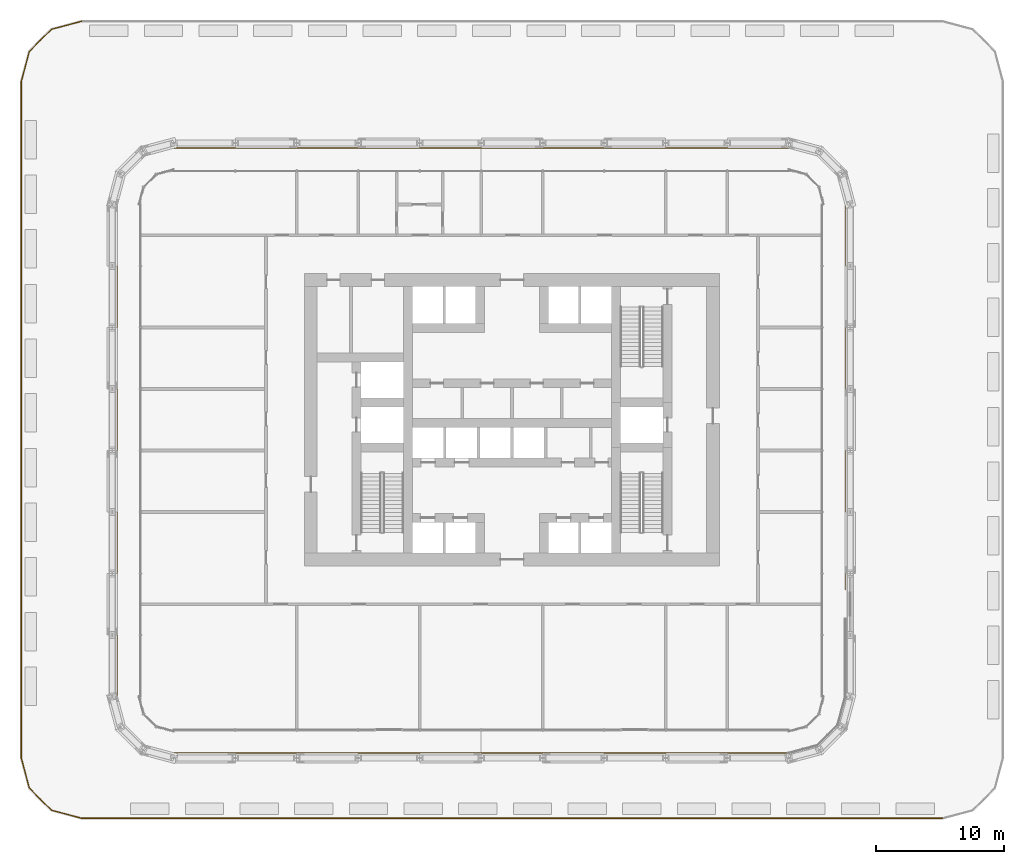
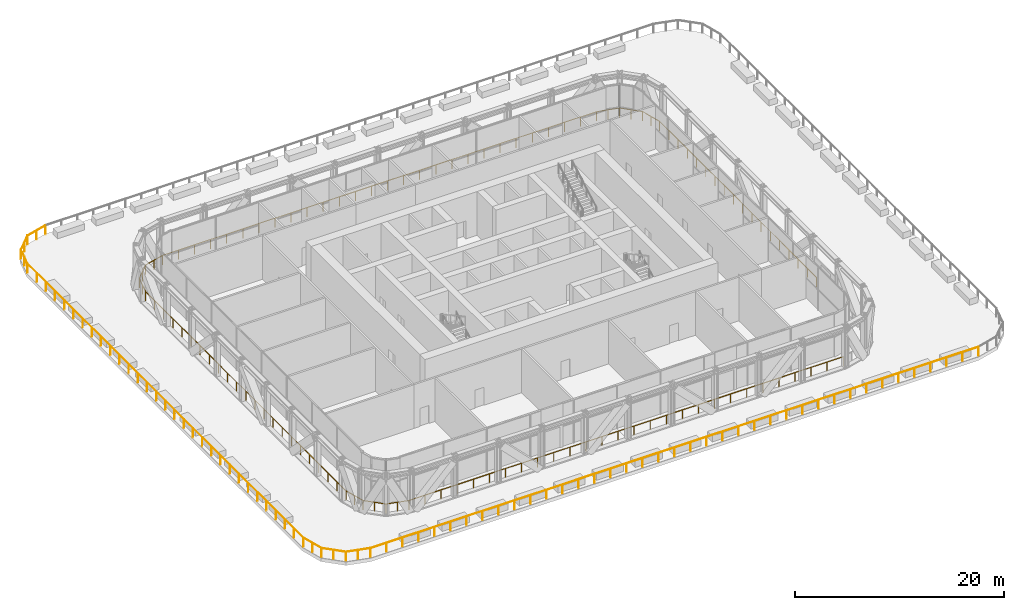
# One storey, part 19 of 22: 2 railings.
"""IFC4 building model written with IfcOpenShell, lengths in metres."""

from ifc_helpers import new_model, si_unit, direction, frame, origin, origin_2d, place, context, subcontext, project, spatial, circle, extrude, material, type_object, element, save


model = new_model("IFC4")

# Units and contexts
model_context = context("Model", 3, precision=1e-05, world=origin(), true_north=direction((0.0, 1.0)))
body_context = subcontext(model_context, "Body", "Model", "MODEL_VIEW")
ifc_project = project(units=[si_unit("LENGTHUNIT", "METRE"), si_unit("AREAUNIT", "SQUARE_METRE"), si_unit("VOLUMEUNIT", "CUBIC_METRE"), si_unit("PLANEANGLEUNIT", "RADIAN"), si_unit("MASSUNIT", "GRAM", prefix="KILO")], contexts=[model_context])

# Site, building, storey
site_placement = place(None, origin())
site = spatial("IfcSite", under=ifc_project, at=site_placement, CompositionType="ELEMENT")
building_placement = place(site_placement, origin())
building = spatial("IfcBuilding", under=site, at=building_placement, Name="Madar Terraces", CompositionType="ELEMENT")
storey_placement = place(building_placement, frame((0.0, 0.0, 24.0)))
storey = spatial("IfcBuildingStorey", under=building, at=storey_placement, Name="L05", CompositionType="ELEMENT", Elevation=24.0)

# Railings
ifc_material = material(Name="Glass, safety glazing, with stainless steel posts", Category="steel")
railing_type = type_object("IfcRailingType", Name="Balcony glass guard 1100", PredefinedType="GUARDRAIL", material=ifc_material)
railing_1_placement = place(storey_placement, frame((57.211181640625, 13.1337890625, 0.0)))
element("IfcRailing", 1, at=railing_1_placement, inside=storey, type_object=railing_type, Name="Gallery guard", PredefinedType="GUARDRAIL", context=body_context, shape_type="SweptSolid", body=[
    extrude(circle(Radius=0.02392578125, at=origin_2d()), frame((0.0, 0.0, 1.076171875), z_axis=(0.0, 1.0, 0.0), x_axis=(-1.0, 0.0, 0.0)), (0.0, 0.0, 1.0), 30.066162109375),
    extrude(circle(Radius=0.02392578125, at=origin_2d()), frame((0.0, 30.066162109375, 1.076171875), z_axis=(-0.258853660469, 0.965916550465, 0.0), x_axis=(-0.965916550465, -0.258853660469, 0.0)), (0.0, 0.0, 1.0), 2.283447265625),
    extrude(circle(Radius=0.02392578125, at=origin_2d()), frame((-0.591064453125, 32.271728515625, 1.076171875), z_axis=(-0.707053319819, 0.707160238512, 0.0), x_axis=(-0.707160238512, -0.707053319819, 0.0)), (0.0, 0.0, 1.0), 2.283447265625),
    extrude(circle(Radius=0.02392578125, at=origin_2d()), frame((-2.20556640625, 33.886474609375, 1.076171875), z_axis=(-0.965943279407, 0.258753900394, 0.0), x_axis=(-0.258753900394, -0.965943279407, 0.0)), (0.0, 0.0, 1.0), 2.283447265625),
    extrude(circle(Radius=0.02392578125, at=origin_2d()), frame((-4.4111328125, 34.477294921875, 1.076171875), z_axis=(-1.0, 0.0, 0.0), x_axis=(0.0, -1.0, 0.0)), (0.0, 0.0, 1.0), 48.0),
    extrude(circle(Radius=0.02392578125, at=origin_2d()), frame((-52.4111328125, 34.477294921875, 1.076171875), z_axis=(-0.965943279407, -0.258753900394, 0.0), x_axis=(0.258753900394, -0.965943279407, 0.0)), (0.0, 0.0, 1.0), 2.283447265625),
    extrude(circle(Radius=0.02392578125, at=origin_2d()), frame((-54.61669921875, 33.886474609375, 1.076171875), z_axis=(-0.707106781187, -0.707106781187, 0.0), x_axis=(0.707106781187, -0.707106781187, 0.0)), (0.0, 0.0, 1.0), 2.28369140625),
    extrude(circle(Radius=0.02392578125, at=origin_2d()), frame((-56.2314453125, 32.271728515625, 1.076171875), z_axis=(-0.258753900394, -0.965943279407, 0.0), x_axis=(0.965943279407, -0.258753900394, 0.0)), (0.0, 0.0, 1.0), 2.283447265625),
    extrude(circle(Radius=0.02392578125, at=origin_2d()), frame((-56.822265625, 30.066162109375, 1.076171875), z_axis=(0.0, -1.0, 0.0), x_axis=(1.0, 0.0, 0.0)), (0.0, 0.0, 1.0), 38.39990234375),
    extrude(circle(Radius=0.02392578125, at=origin_2d()), frame((-56.822265625, -8.333740234375, 1.076171875), z_axis=(0.258753900394, -0.965943279407, 0.0), x_axis=(0.965943279407, 0.258753900394, 0.0)), (0.0, 0.0, 1.0), 2.283447265625),
    extrude(circle(Radius=0.02392578125, at=origin_2d()), frame((-56.2314453125, -10.539306640625, 1.076171875), z_axis=(0.707106781187, -0.707106781187, 0.0), x_axis=(0.707106781187, 0.707106781187, 0.0)), (0.0, 0.0, 1.0), 2.28369140625),
    extrude(circle(Radius=0.02392578125, at=origin_2d()), frame((-54.61669921875, -12.154052734375, 1.076171875), z_axis=(0.965943279407, -0.258753900394, 0.0), x_axis=(0.258753900394, 0.965943279407, 0.0)), (0.0, 0.0, 1.0), 2.283447265625),
    extrude(circle(Radius=0.02392578125, at=origin_2d()), frame((-52.4111328125, -12.744873046875, 1.076171875), z_axis=(1.0, 0.0, 0.0), x_axis=(0.0, 1.0, 0.0)), (0.0, 0.0, 1.0), 48.0),
    extrude(circle(Radius=0.02099609375, at=origin_2d()), origin(), (0.0, 0.0, 1.0), 1.052001953125),
    extrude(circle(Radius=0.02099609375, at=origin_2d()), frame((0.0, 1.7685546875, 0.0)), (0.0, 0.0, 1.0), 1.052001953125),
    extrude(circle(Radius=0.02099609375, at=origin_2d()), frame((0.0, 3.537109375, 0.0)), (0.0, 0.0, 1.0), 1.052001953125),
    extrude(circle(Radius=0.02099609375, at=origin_2d()), frame((0.0, 5.305908203125, 0.0)), (0.0, 0.0, 1.0), 1.052001953125),
    extrude(circle(Radius=0.02099609375, at=origin_2d()), frame((0.0, 7.074462890625, 0.0)), (0.0, 0.0, 1.0), 1.052001953125),
    extrude(circle(Radius=0.02099609375, at=origin_2d()), frame((0.0, 8.843017578125, 0.0)), (0.0, 0.0, 1.0), 1.052001953125),
    extrude(circle(Radius=0.02099609375, at=origin_2d()), frame((0.0, 10.611572265625, 0.0)), (0.0, 0.0, 1.0), 1.052001953125),
    extrude(circle(Radius=0.02099609375, at=origin_2d()), frame((0.0, 12.380126953125, 0.0)), (0.0, 0.0, 1.0), 1.052001953125),
    extrude(circle(Radius=0.02099609375, at=origin_2d()), frame((0.0, 14.148681640625, 0.0)), (0.0, 0.0, 1.0), 1.052001953125),
    extrude(circle(Radius=0.02099609375, at=origin_2d()), frame((0.0, 15.91748046875, 0.0)), (0.0, 0.0, 1.0), 1.052001953125),
    extrude(circle(Radius=0.02099609375, at=origin_2d()), frame((0.0, 17.68603515625, 0.0)), (0.0, 0.0, 1.0), 1.052001953125),
    extrude(circle(Radius=0.02099609375, at=origin_2d()), frame((0.0, 19.45458984375, 0.0)), (0.0, 0.0, 1.0), 1.052001953125),
    extrude(circle(Radius=0.02099609375, at=origin_2d()), frame((0.0, 21.22314453125, 0.0)), (0.0, 0.0, 1.0), 1.052001953125),
    extrude(circle(Radius=0.02099609375, at=origin_2d()), frame((0.0, 22.99169921875, 0.0)), (0.0, 0.0, 1.0), 1.052001953125),
    extrude(circle(Radius=0.02099609375, at=origin_2d()), frame((0.0, 24.76025390625, 0.0)), (0.0, 0.0, 1.0), 1.052001953125),
    extrude(circle(Radius=0.02099609375, at=origin_2d()), frame((0.0, 26.529052734375, 0.0)), (0.0, 0.0, 1.0), 1.052001953125),
    extrude(circle(Radius=0.02099609375, at=origin_2d()), frame((0.0, 28.297607421875, 0.0)), (0.0, 0.0, 1.0), 1.052001953125),
    extrude(circle(Radius=0.02099609375, at=origin_2d()), frame((0.0, 30.066162109375, 0.0)), (0.0, 0.0, 1.0), 1.052001953125),
    extrude(circle(Radius=0.02099609375, at=origin_2d()), frame((-0.29541015625, 31.1689453125, 0.0)), (0.0, 0.0, 1.0), 1.052001953125),
    extrude(circle(Radius=0.02099609375, at=origin_2d()), frame((-0.591064453125, 32.271728515625, 0.0)), (0.0, 0.0, 1.0), 1.052001953125),
    extrude(circle(Radius=0.02099609375, at=origin_2d()), frame((-1.3984375, 33.0791015625, 0.0)), (0.0, 0.0, 1.0), 1.052001953125),
    extrude(circle(Radius=0.02099609375, at=origin_2d()), frame((-2.20556640625, 33.886474609375, 0.0)), (0.0, 0.0, 1.0), 1.052001953125),
    extrude(circle(Radius=0.02099609375, at=origin_2d()), frame((-3.308349609375, 34.181884765625, 0.0)), (0.0, 0.0, 1.0), 1.052001953125),
    extrude(circle(Radius=0.02099609375, at=origin_2d()), frame((-4.4111328125, 34.477294921875, 0.0)), (0.0, 0.0, 1.0), 1.052001953125),
    extrude(circle(Radius=0.02099609375, at=origin_2d()), frame((-6.18896484375, 34.477294921875, 0.0)), (0.0, 0.0, 1.0), 1.052001953125),
    extrude(circle(Radius=0.02099609375, at=origin_2d()), frame((-7.966796875, 34.477294921875, 0.0)), (0.0, 0.0, 1.0), 1.052001953125),
    extrude(circle(Radius=0.02099609375, at=origin_2d()), frame((-9.744384765625, 34.477294921875, 0.0)), (0.0, 0.0, 1.0), 1.052001953125),
    extrude(circle(Radius=0.02099609375, at=origin_2d()), frame((-11.522216796875, 34.477294921875, 0.0)), (0.0, 0.0, 1.0), 1.052001953125),
    extrude(circle(Radius=0.02099609375, at=origin_2d()), frame((-13.300048828125, 34.477294921875, 0.0)), (0.0, 0.0, 1.0), 1.052001953125),
    extrude(circle(Radius=0.02099609375, at=origin_2d()), frame((-15.077880859375, 34.477294921875, 0.0)), (0.0, 0.0, 1.0), 1.052001953125),
    extrude(circle(Radius=0.02099609375, at=origin_2d()), frame((-16.85546875, 34.477294921875, 0.0)), (0.0, 0.0, 1.0), 1.052001953125),
    extrude(circle(Radius=0.02099609375, at=origin_2d()), frame((-18.63330078125, 34.477294921875, 0.0)), (0.0, 0.0, 1.0), 1.052001953125),
    extrude(circle(Radius=0.02099609375, at=origin_2d()), frame((-20.4111328125, 34.477294921875, 0.0)), (0.0, 0.0, 1.0), 1.052001953125),
    extrude(circle(Radius=0.02099609375, at=origin_2d()), frame((-22.18896484375, 34.477294921875, 0.0)), (0.0, 0.0, 1.0), 1.052001953125),
    extrude(circle(Radius=0.02099609375, at=origin_2d()), frame((-23.966796875, 34.477294921875, 0.0)), (0.0, 0.0, 1.0), 1.052001953125),
    extrude(circle(Radius=0.02099609375, at=origin_2d()), frame((-25.744384765625, 34.477294921875, 0.0)), (0.0, 0.0, 1.0), 1.052001953125),
    extrude(circle(Radius=0.02099609375, at=origin_2d()), frame((-27.522216796875, 34.477294921875, 0.0)), (0.0, 0.0, 1.0), 1.052001953125),
    extrude(circle(Radius=0.02099609375, at=origin_2d()), frame((-29.300048828125, 34.477294921875, 0.0)), (0.0, 0.0, 1.0), 1.052001953125),
    extrude(circle(Radius=0.02099609375, at=origin_2d()), frame((-31.077880859375, 34.477294921875, 0.0)), (0.0, 0.0, 1.0), 1.052001953125),
    extrude(circle(Radius=0.02099609375, at=origin_2d()), frame((-32.85546875, 34.477294921875, 0.0)), (0.0, 0.0, 1.0), 1.052001953125),
    extrude(circle(Radius=0.02099609375, at=origin_2d()), frame((-34.63330078125, 34.477294921875, 0.0)), (0.0, 0.0, 1.0), 1.052001953125),
    extrude(circle(Radius=0.02099609375, at=origin_2d()), frame((-36.4111328125, 34.477294921875, 0.0)), (0.0, 0.0, 1.0), 1.052001953125),
    extrude(circle(Radius=0.02099609375, at=origin_2d()), frame((-38.18896484375, 34.477294921875, 0.0)), (0.0, 0.0, 1.0), 1.052001953125),
    extrude(circle(Radius=0.02099609375, at=origin_2d()), frame((-39.966796875, 34.477294921875, 0.0)), (0.0, 0.0, 1.0), 1.052001953125),
    extrude(circle(Radius=0.02099609375, at=origin_2d()), frame((-41.744384765625, 34.477294921875, 0.0)), (0.0, 0.0, 1.0), 1.052001953125),
    extrude(circle(Radius=0.02099609375, at=origin_2d()), frame((-43.522216796875, 34.477294921875, 0.0)), (0.0, 0.0, 1.0), 1.052001953125),
    extrude(circle(Radius=0.02099609375, at=origin_2d()), frame((-45.300048828125, 34.477294921875, 0.0)), (0.0, 0.0, 1.0), 1.052001953125),
    extrude(circle(Radius=0.02099609375, at=origin_2d()), frame((-47.077880859375, 34.477294921875, 0.0)), (0.0, 0.0, 1.0), 1.052001953125),
    extrude(circle(Radius=0.02099609375, at=origin_2d()), frame((-48.85546875, 34.477294921875, 0.0)), (0.0, 0.0, 1.0), 1.052001953125),
    extrude(circle(Radius=0.02099609375, at=origin_2d()), frame((-50.63330078125, 34.477294921875, 0.0)), (0.0, 0.0, 1.0), 1.052001953125),
    extrude(circle(Radius=0.02099609375, at=origin_2d()), frame((-52.4111328125, 34.477294921875, 0.0)), (0.0, 0.0, 1.0), 1.052001953125),
    extrude(circle(Radius=0.02099609375, at=origin_2d()), frame((-53.513916015625, 34.181884765625, 0.0)), (0.0, 0.0, 1.0), 1.052001953125),
    extrude(circle(Radius=0.02099609375, at=origin_2d()), frame((-54.61669921875, 33.886474609375, 0.0)), (0.0, 0.0, 1.0), 1.052001953125),
    extrude(circle(Radius=0.02099609375, at=origin_2d()), frame((-55.424072265625, 33.0791015625, 0.0)), (0.0, 0.0, 1.0), 1.052001953125),
    extrude(circle(Radius=0.02099609375, at=origin_2d()), frame((-56.2314453125, 32.271728515625, 0.0)), (0.0, 0.0, 1.0), 1.052001953125),
    extrude(circle(Radius=0.02099609375, at=origin_2d()), frame((-56.52685546875, 31.1689453125, 0.0)), (0.0, 0.0, 1.0), 1.052001953125),
    extrude(circle(Radius=0.02099609375, at=origin_2d()), frame((-56.822265625, 30.066162109375, 0.0)), (0.0, 0.0, 1.0), 1.052001953125),
    extrude(circle(Radius=0.02099609375, at=origin_2d()), frame((-56.822265625, 28.32080078125, 0.0)), (0.0, 0.0, 1.0), 1.052001953125),
    extrude(circle(Radius=0.02099609375, at=origin_2d()), frame((-56.822265625, 26.5751953125, 0.0)), (0.0, 0.0, 1.0), 1.052001953125),
    extrude(circle(Radius=0.02099609375, at=origin_2d()), frame((-56.822265625, 24.829833984375, 0.0)), (0.0, 0.0, 1.0), 1.052001953125),
    extrude(circle(Radius=0.02099609375, at=origin_2d()), frame((-56.822265625, 23.08447265625, 0.0)), (0.0, 0.0, 1.0), 1.052001953125),
    extrude(circle(Radius=0.02099609375, at=origin_2d()), frame((-56.822265625, 21.3388671875, 0.0)), (0.0, 0.0, 1.0), 1.052001953125),
    extrude(circle(Radius=0.02099609375, at=origin_2d()), frame((-56.822265625, 19.593505859375, 0.0)), (0.0, 0.0, 1.0), 1.052001953125),
    extrude(circle(Radius=0.02099609375, at=origin_2d()), frame((-56.822265625, 17.847900390625, 0.0)), (0.0, 0.0, 1.0), 1.052001953125),
    extrude(circle(Radius=0.02099609375, at=origin_2d()), frame((-56.822265625, 16.1025390625, 0.0)), (0.0, 0.0, 1.0), 1.052001953125),
    extrude(circle(Radius=0.02099609375, at=origin_2d()), frame((-56.822265625, 14.357177734375, 0.0)), (0.0, 0.0, 1.0), 1.052001953125),
    extrude(circle(Radius=0.02099609375, at=origin_2d()), frame((-56.822265625, 12.611572265625, 0.0)), (0.0, 0.0, 1.0), 1.052001953125),
    extrude(circle(Radius=0.02099609375, at=origin_2d()), frame((-56.822265625, 10.8662109375, 0.0)), (0.0, 0.0, 1.0), 1.052001953125),
    extrude(circle(Radius=0.02099609375, at=origin_2d()), frame((-56.822265625, 9.120849609375, 0.0)), (0.0, 0.0, 1.0), 1.052001953125),
    extrude(circle(Radius=0.02099609375, at=origin_2d()), frame((-56.822265625, 7.375244140625, 0.0)), (0.0, 0.0, 1.0), 1.052001953125),
    extrude(circle(Radius=0.02099609375, at=origin_2d()), frame((-56.822265625, 5.6298828125, 0.0)), (0.0, 0.0, 1.0), 1.052001953125),
    extrude(circle(Radius=0.02099609375, at=origin_2d()), frame((-56.822265625, 3.884521484375, 0.0)), (0.0, 0.0, 1.0), 1.052001953125),
    extrude(circle(Radius=0.02099609375, at=origin_2d()), frame((-56.822265625, 2.138916015625, 0.0)), (0.0, 0.0, 1.0), 1.052001953125),
    extrude(circle(Radius=0.02099609375, at=origin_2d()), frame((-56.822265625, 0.3935546875, 0.0)), (0.0, 0.0, 1.0), 1.052001953125),
    extrude(circle(Radius=0.02099609375, at=origin_2d()), frame((-56.822265625, -1.35205078125, 0.0)), (0.0, 0.0, 1.0), 1.052001953125),
    extrude(circle(Radius=0.02099609375, at=origin_2d()), frame((-56.822265625, -3.097412109375, 0.0)), (0.0, 0.0, 1.0), 1.052001953125),
    extrude(circle(Radius=0.02099609375, at=origin_2d()), frame((-56.822265625, -4.8427734375, 0.0)), (0.0, 0.0, 1.0), 1.052001953125),
    extrude(circle(Radius=0.02099609375, at=origin_2d()), frame((-56.822265625, -6.58837890625, 0.0)), (0.0, 0.0, 1.0), 1.052001953125),
    extrude(circle(Radius=0.02099609375, at=origin_2d()), frame((-56.822265625, -8.333740234375, 0.0)), (0.0, 0.0, 1.0), 1.052001953125),
    extrude(circle(Radius=0.02099609375, at=origin_2d()), frame((-56.52685546875, -9.4365234375, 0.0)), (0.0, 0.0, 1.0), 1.052001953125),
    extrude(circle(Radius=0.02099609375, at=origin_2d()), frame((-56.2314453125, -10.539306640625, 0.0)), (0.0, 0.0, 1.0), 1.052001953125),
    extrude(circle(Radius=0.02099609375, at=origin_2d()), frame((-55.424072265625, -11.3466796875, 0.0)), (0.0, 0.0, 1.0), 1.052001953125),
    extrude(circle(Radius=0.02099609375, at=origin_2d()), frame((-54.61669921875, -12.154052734375, 0.0)), (0.0, 0.0, 1.0), 1.052001953125),
    extrude(circle(Radius=0.02099609375, at=origin_2d()), frame((-53.513916015625, -12.449462890625, 0.0)), (0.0, 0.0, 1.0), 1.052001953125),
    extrude(circle(Radius=0.02099609375, at=origin_2d()), frame((-52.4111328125, -12.744873046875, 0.0)), (0.0, 0.0, 1.0), 1.052001953125),
    extrude(circle(Radius=0.02099609375, at=origin_2d()), frame((-50.63330078125, -12.744873046875, 0.0)), (0.0, 0.0, 1.0), 1.052001953125),
    extrude(circle(Radius=0.02099609375, at=origin_2d()), frame((-48.85546875, -12.744873046875, 0.0)), (0.0, 0.0, 1.0), 1.052001953125),
    extrude(circle(Radius=0.02099609375, at=origin_2d()), frame((-47.077880859375, -12.744873046875, 0.0)), (0.0, 0.0, 1.0), 1.052001953125),
    extrude(circle(Radius=0.02099609375, at=origin_2d()), frame((-45.300048828125, -12.744873046875, 0.0)), (0.0, 0.0, 1.0), 1.052001953125),
    extrude(circle(Radius=0.02099609375, at=origin_2d()), frame((-43.522216796875, -12.744873046875, 0.0)), (0.0, 0.0, 1.0), 1.052001953125),
    extrude(circle(Radius=0.02099609375, at=origin_2d()), frame((-41.744384765625, -12.744873046875, 0.0)), (0.0, 0.0, 1.0), 1.052001953125),
    extrude(circle(Radius=0.02099609375, at=origin_2d()), frame((-39.966796875, -12.744873046875, 0.0)), (0.0, 0.0, 1.0), 1.052001953125),
    extrude(circle(Radius=0.02099609375, at=origin_2d()), frame((-38.18896484375, -12.744873046875, 0.0)), (0.0, 0.0, 1.0), 1.052001953125),
    extrude(circle(Radius=0.02099609375, at=origin_2d()), frame((-36.4111328125, -12.744873046875, 0.0)), (0.0, 0.0, 1.0), 1.052001953125),
    extrude(circle(Radius=0.02099609375, at=origin_2d()), frame((-34.63330078125, -12.744873046875, 0.0)), (0.0, 0.0, 1.0), 1.052001953125),
    extrude(circle(Radius=0.02099609375, at=origin_2d()), frame((-32.85546875, -12.744873046875, 0.0)), (0.0, 0.0, 1.0), 1.052001953125),
    extrude(circle(Radius=0.02099609375, at=origin_2d()), frame((-31.077880859375, -12.744873046875, 0.0)), (0.0, 0.0, 1.0), 1.052001953125),
    extrude(circle(Radius=0.02099609375, at=origin_2d()), frame((-29.300048828125, -12.744873046875, 0.0)), (0.0, 0.0, 1.0), 1.052001953125),
    extrude(circle(Radius=0.02099609375, at=origin_2d()), frame((-27.522216796875, -12.744873046875, 0.0)), (0.0, 0.0, 1.0), 1.052001953125),
    extrude(circle(Radius=0.02099609375, at=origin_2d()), frame((-25.744384765625, -12.744873046875, 0.0)), (0.0, 0.0, 1.0), 1.052001953125),
    extrude(circle(Radius=0.02099609375, at=origin_2d()), frame((-23.966796875, -12.744873046875, 0.0)), (0.0, 0.0, 1.0), 1.052001953125),
    extrude(circle(Radius=0.02099609375, at=origin_2d()), frame((-22.18896484375, -12.744873046875, 0.0)), (0.0, 0.0, 1.0), 1.052001953125),
    extrude(circle(Radius=0.02099609375, at=origin_2d()), frame((-20.4111328125, -12.744873046875, 0.0)), (0.0, 0.0, 1.0), 1.052001953125),
    extrude(circle(Radius=0.02099609375, at=origin_2d()), frame((-18.63330078125, -12.744873046875, 0.0)), (0.0, 0.0, 1.0), 1.052001953125),
    extrude(circle(Radius=0.02099609375, at=origin_2d()), frame((-16.85546875, -12.744873046875, 0.0)), (0.0, 0.0, 1.0), 1.052001953125),
    extrude(circle(Radius=0.02099609375, at=origin_2d()), frame((-15.077880859375, -12.744873046875, 0.0)), (0.0, 0.0, 1.0), 1.052001953125),
    extrude(circle(Radius=0.02099609375, at=origin_2d()), frame((-13.300048828125, -12.744873046875, 0.0)), (0.0, 0.0, 1.0), 1.052001953125),
    extrude(circle(Radius=0.02099609375, at=origin_2d()), frame((-11.522216796875, -12.744873046875, 0.0)), (0.0, 0.0, 1.0), 1.052001953125),
    extrude(circle(Radius=0.02099609375, at=origin_2d()), frame((-9.744384765625, -12.744873046875, 0.0)), (0.0, 0.0, 1.0), 1.052001953125),
    extrude(circle(Radius=0.02099609375, at=origin_2d()), frame((-7.966796875, -12.744873046875, 0.0)), (0.0, 0.0, 1.0), 1.052001953125),
    extrude(circle(Radius=0.02099609375, at=origin_2d()), frame((-6.18896484375, -12.744873046875, 0.0)), (0.0, 0.0, 1.0), 1.052001953125),
    extrude(circle(Radius=0.02099609375, at=origin_2d()), frame((-4.4111328125, -12.744873046875, 0.0)), (0.0, 0.0, 1.0), 1.052001953125),
])
railing_2_placement = place(storey_placement, frame((-2.39990234375, 57.5, 0.0400390625)))
element("IfcRailing", 2, at=railing_2_placement, inside=storey, type_object=railing_type, Name="Terrace guard", PredefinedType="GUARDRAIL", context=body_context, shape_type="SweptSolid", body=[
    extrude(circle(Radius=0.02392578125, at=origin_2d()), frame((0.0, 0.0, 1.076171875), z_axis=(-0.965932823238, -0.258792930722, 0.0), x_axis=(0.258792930722, -0.965932823238, 0.0)), (0.0, 0.0, 1.0), 2.432861328125),
    extrude(circle(Radius=0.02392578125, at=origin_2d()), frame((-2.35009765625, -0.629638671875, 1.076171875), z_axis=(-0.70705660508, -0.707156953733, 0.0), x_axis=(0.707156953733, -0.70705660508, 0.0)), (0.0, 0.0, 1.0), 2.432861328125),
    extrude(circle(Radius=0.02392578125, at=origin_2d()), frame((-4.0703125, -2.35009765625, 1.076171875), z_axis=(-0.258911647064, -0.965901008911, 0.0), x_axis=(0.965901008911, -0.258911647064, 0.0)), (0.0, 0.0, 1.0), 2.432861328125),
    extrude(circle(Radius=0.02392578125, at=origin_2d()), frame((-4.7001953125, -4.699951171875, 1.076171875), z_axis=(0.0, -1.0, 0.0), x_axis=(1.0, 0.0, 0.0)), (0.0, 0.0, 1.0), 52.800048828125),
    extrude(circle(Radius=0.02392578125, at=origin_2d()), frame((-4.7001953125, -57.5, 1.076171875), z_axis=(0.25888655274, -0.965907735144, 0.0), x_axis=(0.965907735144, 0.25888655274, 0.0)), (0.0, 0.0, 1.0), 2.43310546875),
    extrude(circle(Radius=0.02392578125, at=origin_2d()), frame((-4.0703125, -59.85009765625, 1.076171875), z_axis=(0.707106781187, -0.707106781187, 0.0), x_axis=(0.707106781187, 0.707106781187, 0.0)), (0.0, 0.0, 1.0), 2.432861328125),
    extrude(circle(Radius=0.02392578125, at=origin_2d()), frame((-2.35009765625, -61.5703125, 1.076171875), z_axis=(0.965932823238, -0.258792930722, 0.0), x_axis=(0.258792930722, 0.965932823238, 0.0)), (0.0, 0.0, 1.0), 2.432861328125),
    extrude(circle(Radius=0.02392578125, at=origin_2d()), frame((0.0, -62.199951171875, 1.076171875), z_axis=(1.0, 0.0, 0.0), x_axis=(0.0, 1.0, 0.0)), (0.0, 0.0, 1.0), 67.199951171875),
    extrude(circle(Radius=0.02099609375, at=origin_2d()), origin(), (0.0, 0.0, 1.0), 1.052001953125),
    extrude(circle(Radius=0.02099609375, at=origin_2d()), frame((-1.175048828125, -0.31494140625, 0.0)), (0.0, 0.0, 1.0), 1.052001953125),
    extrude(circle(Radius=0.02099609375, at=origin_2d()), frame((-2.35009765625, -0.629638671875, 0.0)), (0.0, 0.0, 1.0), 1.052001953125),
    extrude(circle(Radius=0.02099609375, at=origin_2d()), frame((-3.210205078125, -1.48974609375, 0.0)), (0.0, 0.0, 1.0), 1.052001953125),
    extrude(circle(Radius=0.02099609375, at=origin_2d()), frame((-4.0703125, -2.35009765625, 0.0)), (0.0, 0.0, 1.0), 1.052001953125),
    extrude(circle(Radius=0.02099609375, at=origin_2d()), frame((-4.38525390625, -3.52490234375, 0.0)), (0.0, 0.0, 1.0), 1.052001953125),
    extrude(circle(Radius=0.02099609375, at=origin_2d()), frame((-4.7001953125, -4.699951171875, 0.0)), (0.0, 0.0, 1.0), 1.052001953125),
    extrude(circle(Radius=0.02099609375, at=origin_2d()), frame((-4.7001953125, -6.4599609375, 0.0)), (0.0, 0.0, 1.0), 1.052001953125),
    extrude(circle(Radius=0.02099609375, at=origin_2d()), frame((-4.7001953125, -8.219970703125, 0.0)), (0.0, 0.0, 1.0), 1.052001953125),
    extrude(circle(Radius=0.02099609375, at=origin_2d()), frame((-4.7001953125, -9.97998046875, 0.0)), (0.0, 0.0, 1.0), 1.052001953125),
    extrude(circle(Radius=0.02099609375, at=origin_2d()), frame((-4.7001953125, -11.739990234375, 0.0)), (0.0, 0.0, 1.0), 1.052001953125),
    extrude(circle(Radius=0.02099609375, at=origin_2d()), frame((-4.7001953125, -13.5, 0.0)), (0.0, 0.0, 1.0), 1.052001953125),
    extrude(circle(Radius=0.02099609375, at=origin_2d()), frame((-4.7001953125, -15.260009765625, 0.0)), (0.0, 0.0, 1.0), 1.052001953125),
    extrude(circle(Radius=0.02099609375, at=origin_2d()), frame((-4.7001953125, -17.02001953125, 0.0)), (0.0, 0.0, 1.0), 1.052001953125),
    extrude(circle(Radius=0.02099609375, at=origin_2d()), frame((-4.7001953125, -18.780029296875, 0.0)), (0.0, 0.0, 1.0), 1.052001953125),
    extrude(circle(Radius=0.02099609375, at=origin_2d()), frame((-4.7001953125, -20.5400390625, 0.0)), (0.0, 0.0, 1.0), 1.052001953125),
    extrude(circle(Radius=0.02099609375, at=origin_2d()), frame((-4.7001953125, -22.300048828125, 0.0)), (0.0, 0.0, 1.0), 1.052001953125),
    extrude(circle(Radius=0.02099609375, at=origin_2d()), frame((-4.7001953125, -24.06005859375, 0.0)), (0.0, 0.0, 1.0), 1.052001953125),
    extrude(circle(Radius=0.02099609375, at=origin_2d()), frame((-4.7001953125, -25.820068359375, 0.0)), (0.0, 0.0, 1.0), 1.052001953125),
    extrude(circle(Radius=0.02099609375, at=origin_2d()), frame((-4.7001953125, -27.580078125, 0.0)), (0.0, 0.0, 1.0), 1.052001953125),
    extrude(circle(Radius=0.02099609375, at=origin_2d()), frame((-4.7001953125, -29.340087890625, 0.0)), (0.0, 0.0, 1.0), 1.052001953125),
    extrude(circle(Radius=0.02099609375, at=origin_2d()), frame((-4.7001953125, -31.10009765625, 0.0)), (0.0, 0.0, 1.0), 1.052001953125),
    extrude(circle(Radius=0.02099609375, at=origin_2d()), frame((-4.7001953125, -32.85986328125, 0.0)), (0.0, 0.0, 1.0), 1.052001953125),
    extrude(circle(Radius=0.02099609375, at=origin_2d()), frame((-4.7001953125, -34.619873046875, 0.0)), (0.0, 0.0, 1.0), 1.052001953125),
    extrude(circle(Radius=0.02099609375, at=origin_2d()), frame((-4.7001953125, -36.3798828125, 0.0)), (0.0, 0.0, 1.0), 1.052001953125),
    extrude(circle(Radius=0.02099609375, at=origin_2d()), frame((-4.7001953125, -38.139892578125, 0.0)), (0.0, 0.0, 1.0), 1.052001953125),
    extrude(circle(Radius=0.02099609375, at=origin_2d()), frame((-4.7001953125, -39.89990234375, 0.0)), (0.0, 0.0, 1.0), 1.052001953125),
    extrude(circle(Radius=0.02099609375, at=origin_2d()), frame((-4.7001953125, -41.659912109375, 0.0)), (0.0, 0.0, 1.0), 1.052001953125),
    extrude(circle(Radius=0.02099609375, at=origin_2d()), frame((-4.7001953125, -43.419921875, 0.0)), (0.0, 0.0, 1.0), 1.052001953125),
    extrude(circle(Radius=0.02099609375, at=origin_2d()), frame((-4.7001953125, -45.179931640625, 0.0)), (0.0, 0.0, 1.0), 1.052001953125),
    extrude(circle(Radius=0.02099609375, at=origin_2d()), frame((-4.7001953125, -46.93994140625, 0.0)), (0.0, 0.0, 1.0), 1.052001953125),
    extrude(circle(Radius=0.02099609375, at=origin_2d()), frame((-4.7001953125, -48.699951171875, 0.0)), (0.0, 0.0, 1.0), 1.052001953125),
    extrude(circle(Radius=0.02099609375, at=origin_2d()), frame((-4.7001953125, -50.4599609375, 0.0)), (0.0, 0.0, 1.0), 1.052001953125),
    extrude(circle(Radius=0.02099609375, at=origin_2d()), frame((-4.7001953125, -52.219970703125, 0.0)), (0.0, 0.0, 1.0), 1.052001953125),
    extrude(circle(Radius=0.02099609375, at=origin_2d()), frame((-4.7001953125, -53.97998046875, 0.0)), (0.0, 0.0, 1.0), 1.052001953125),
    extrude(circle(Radius=0.02099609375, at=origin_2d()), frame((-4.7001953125, -55.739990234375, 0.0)), (0.0, 0.0, 1.0), 1.052001953125),
    extrude(circle(Radius=0.02099609375, at=origin_2d()), frame((-4.7001953125, -57.5, 0.0)), (0.0, 0.0, 1.0), 1.052001953125),
    extrude(circle(Radius=0.02099609375, at=origin_2d()), frame((-4.38525390625, -58.675048828125, 0.0)), (0.0, 0.0, 1.0), 1.052001953125),
    extrude(circle(Radius=0.02099609375, at=origin_2d()), frame((-4.0703125, -59.85009765625, 0.0)), (0.0, 0.0, 1.0), 1.052001953125),
    extrude(circle(Radius=0.02099609375, at=origin_2d()), frame((-3.210205078125, -60.710205078125, 0.0)), (0.0, 0.0, 1.0), 1.052001953125),
    extrude(circle(Radius=0.02099609375, at=origin_2d()), frame((-2.35009765625, -61.5703125, 0.0)), (0.0, 0.0, 1.0), 1.052001953125),
    extrude(circle(Radius=0.02099609375, at=origin_2d()), frame((-1.175048828125, -61.88525390625, 0.0)), (0.0, 0.0, 1.0), 1.052001953125),
    extrude(circle(Radius=0.02099609375, at=origin_2d()), frame((0.0, -62.199951171875, 0.0)), (0.0, 0.0, 1.0), 1.052001953125),
    extrude(circle(Radius=0.02099609375, at=origin_2d()), frame((1.768310546875, -62.199951171875, 0.0)), (0.0, 0.0, 1.0), 1.052001953125),
    extrude(circle(Radius=0.02099609375, at=origin_2d()), frame((3.536865234375, -62.199951171875, 0.0)), (0.0, 0.0, 1.0), 1.052001953125),
    extrude(circle(Radius=0.02099609375, at=origin_2d()), frame((5.30517578125, -62.199951171875, 0.0)), (0.0, 0.0, 1.0), 1.052001953125),
    extrude(circle(Radius=0.02099609375, at=origin_2d()), frame((7.07373046875, -62.199951171875, 0.0)), (0.0, 0.0, 1.0), 1.052001953125),
    extrude(circle(Radius=0.02099609375, at=origin_2d()), frame((8.842041015625, -62.199951171875, 0.0)), (0.0, 0.0, 1.0), 1.052001953125),
    extrude(circle(Radius=0.02099609375, at=origin_2d()), frame((10.610595703125, -62.199951171875, 0.0)), (0.0, 0.0, 1.0), 1.052001953125),
    extrude(circle(Radius=0.02099609375, at=origin_2d()), frame((12.37890625, -62.199951171875, 0.0)), (0.0, 0.0, 1.0), 1.052001953125),
    extrude(circle(Radius=0.02099609375, at=origin_2d()), frame((14.1474609375, -62.199951171875, 0.0)), (0.0, 0.0, 1.0), 1.052001953125),
    extrude(circle(Radius=0.02099609375, at=origin_2d()), frame((15.915771484375, -62.199951171875, 0.0)), (0.0, 0.0, 1.0), 1.052001953125),
    extrude(circle(Radius=0.02099609375, at=origin_2d()), frame((17.68408203125, -62.199951171875, 0.0)), (0.0, 0.0, 1.0), 1.052001953125),
    extrude(circle(Radius=0.02099609375, at=origin_2d()), frame((19.45263671875, -62.199951171875, 0.0)), (0.0, 0.0, 1.0), 1.052001953125),
    extrude(circle(Radius=0.02099609375, at=origin_2d()), frame((21.220947265625, -62.199951171875, 0.0)), (0.0, 0.0, 1.0), 1.052001953125),
    extrude(circle(Radius=0.02099609375, at=origin_2d()), frame((22.989501953125, -62.199951171875, 0.0)), (0.0, 0.0, 1.0), 1.052001953125),
    extrude(circle(Radius=0.02099609375, at=origin_2d()), frame((24.7578125, -62.199951171875, 0.0)), (0.0, 0.0, 1.0), 1.052001953125),
    extrude(circle(Radius=0.02099609375, at=origin_2d()), frame((26.5263671875, -62.199951171875, 0.0)), (0.0, 0.0, 1.0), 1.052001953125),
    extrude(circle(Radius=0.02099609375, at=origin_2d()), frame((28.294677734375, -62.199951171875, 0.0)), (0.0, 0.0, 1.0), 1.052001953125),
    extrude(circle(Radius=0.02099609375, at=origin_2d()), frame((30.063232421875, -62.199951171875, 0.0)), (0.0, 0.0, 1.0), 1.052001953125),
    extrude(circle(Radius=0.02099609375, at=origin_2d()), frame((31.83154296875, -62.199951171875, 0.0)), (0.0, 0.0, 1.0), 1.052001953125),
    extrude(circle(Radius=0.02099609375, at=origin_2d()), frame((33.60009765625, -62.199951171875, 0.0)), (0.0, 0.0, 1.0), 1.052001953125),
    extrude(circle(Radius=0.02099609375, at=origin_2d()), frame((35.368408203125, -62.199951171875, 0.0)), (0.0, 0.0, 1.0), 1.052001953125),
    extrude(circle(Radius=0.02099609375, at=origin_2d()), frame((37.13671875, -62.199951171875, 0.0)), (0.0, 0.0, 1.0), 1.052001953125),
    extrude(circle(Radius=0.02099609375, at=origin_2d()), frame((38.9052734375, -62.199951171875, 0.0)), (0.0, 0.0, 1.0), 1.052001953125),
    extrude(circle(Radius=0.02099609375, at=origin_2d()), frame((40.673583984375, -62.199951171875, 0.0)), (0.0, 0.0, 1.0), 1.052001953125),
    extrude(circle(Radius=0.02099609375, at=origin_2d()), frame((42.442138671875, -62.199951171875, 0.0)), (0.0, 0.0, 1.0), 1.052001953125),
    extrude(circle(Radius=0.02099609375, at=origin_2d()), frame((44.21044921875, -62.199951171875, 0.0)), (0.0, 0.0, 1.0), 1.052001953125),
    extrude(circle(Radius=0.02099609375, at=origin_2d()), frame((45.97900390625, -62.199951171875, 0.0)), (0.0, 0.0, 1.0), 1.052001953125),
    extrude(circle(Radius=0.02099609375, at=origin_2d()), frame((47.747314453125, -62.199951171875, 0.0)), (0.0, 0.0, 1.0), 1.052001953125),
    extrude(circle(Radius=0.02099609375, at=origin_2d()), frame((49.515869140625, -62.199951171875, 0.0)), (0.0, 0.0, 1.0), 1.052001953125),
    extrude(circle(Radius=0.02099609375, at=origin_2d()), frame((51.2841796875, -62.199951171875, 0.0)), (0.0, 0.0, 1.0), 1.052001953125),
    extrude(circle(Radius=0.02099609375, at=origin_2d()), frame((53.052490234375, -62.199951171875, 0.0)), (0.0, 0.0, 1.0), 1.052001953125),
    extrude(circle(Radius=0.02099609375, at=origin_2d()), frame((54.821044921875, -62.199951171875, 0.0)), (0.0, 0.0, 1.0), 1.052001953125),
    extrude(circle(Radius=0.02099609375, at=origin_2d()), frame((56.58935546875, -62.199951171875, 0.0)), (0.0, 0.0, 1.0), 1.052001953125),
    extrude(circle(Radius=0.02099609375, at=origin_2d()), frame((58.35791015625, -62.199951171875, 0.0)), (0.0, 0.0, 1.0), 1.052001953125),
    extrude(circle(Radius=0.02099609375, at=origin_2d()), frame((60.126220703125, -62.199951171875, 0.0)), (0.0, 0.0, 1.0), 1.052001953125),
    extrude(circle(Radius=0.02099609375, at=origin_2d()), frame((61.894775390625, -62.199951171875, 0.0)), (0.0, 0.0, 1.0), 1.052001953125),
    extrude(circle(Radius=0.02099609375, at=origin_2d()), frame((63.6630859375, -62.199951171875, 0.0)), (0.0, 0.0, 1.0), 1.052001953125),
    extrude(circle(Radius=0.02099609375, at=origin_2d()), frame((65.431640625, -62.199951171875, 0.0)), (0.0, 0.0, 1.0), 1.052001953125),
    extrude(circle(Radius=0.02099609375, at=origin_2d()), frame((67.199951171875, -62.199951171875, 0.0)), (0.0, 0.0, 1.0), 1.052001953125),
])

save(model, "model.ifc")
